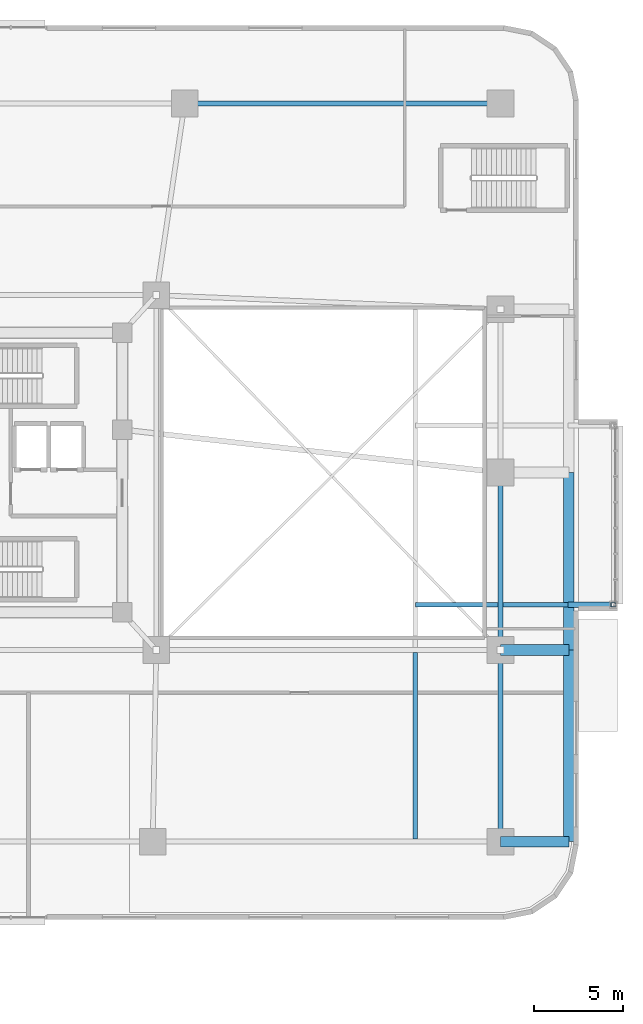
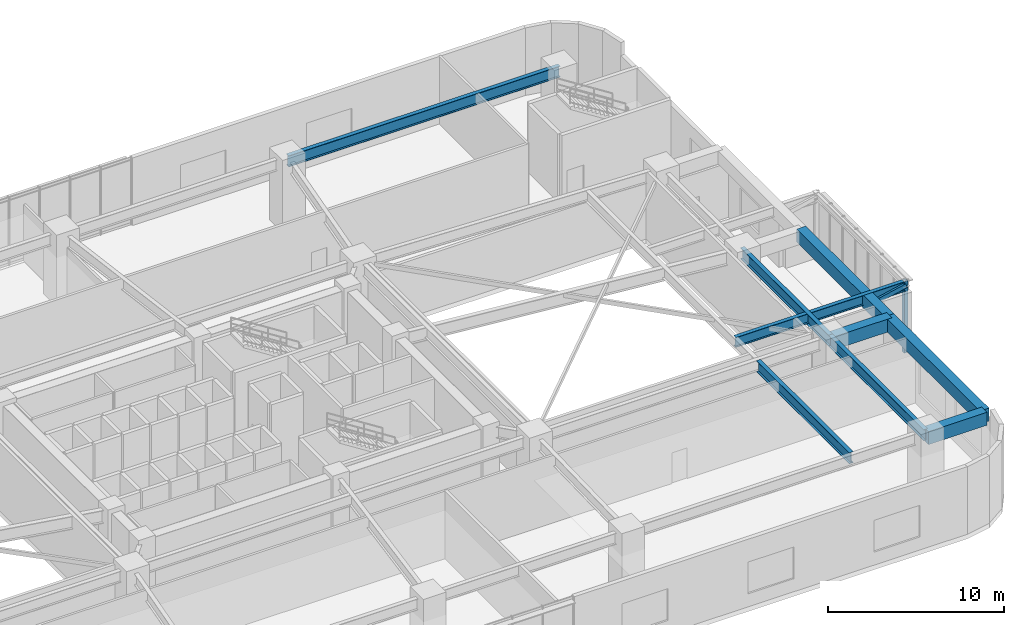
# One storey, part 11 of 26: 9 beams, 2 members.
"""IFC4 building model written with IfcOpenShell, lengths in metres."""

from ifc_helpers import new_model, si_unit, direction, frame, origin, origin_2d, place, context, subcontext, project, spatial, rectangle, hollow_rectangle, i_section, extrude, material, material_profile, profile_set, type_object, element, save


model = new_model("IFC4")

# Units and contexts
model_context = context("Model", 3, precision=1e-05, world=origin(), true_north=direction((0.0, 1.0)))
body_context = subcontext(model_context, "Body", "Model", "MODEL_VIEW")
ifc_project = project(units=[si_unit("LENGTHUNIT", "METRE"), si_unit("AREAUNIT", "SQUARE_METRE"), si_unit("VOLUMEUNIT", "CUBIC_METRE"), si_unit("PLANEANGLEUNIT", "RADIAN"), si_unit("MASSUNIT", "GRAM", prefix="KILO")], contexts=[model_context])

# Site, building, storey
site_placement = place(None, origin())
site = spatial("IfcSite", under=ifc_project, at=site_placement, CompositionType="ELEMENT")
building_placement = place(site_placement, origin())
building = spatial("IfcBuilding", under=site, at=building_placement, Name="Zulverin Broadcast Headquarters", CompositionType="ELEMENT")
storey_placement = place(building_placement, frame((0.0, 0.0, 15.0)))
storey = spatial("IfcBuildingStorey", under=building, at=storey_placement, Name="L03", CompositionType="ELEMENT", Elevation=15.0)

# Beams
ifc_material_1 = material(Name="Concrete C40/50", Category="concrete")
ifc_material_profile_1 = material_profile(ifc_material_1, rectangle(XDim=0.60009765625, YDim=0.89990234375, at=origin_2d()), Name="Concrete C40/50", Category="concrete")
ifc_profile_set_1 = profile_set([ifc_material_profile_1], Name="Concrete C40/50")
beam_type_1 = type_object("IfcBeamType", Name="BM-RC-600x900", PredefinedType="BEAM", material=ifc_profile_set_1)
for number, where, z_axis, x_axis, name in (
    (1, (69.60009765625, 4.39990234375, 4.22998046875), (1.0, 0.0, 0.0), (0.0, 1.0, 0.0), "L03 East Perimeter Bracket Girder EBR-1"),
    (2, (69.60009765625, 15.199951171875, 4.22998046875), (1.0, 0.0, 0.0), (0.0, 1.0, 0.0), "L03 East Perimeter Bracket Girder EBR-2"),
):
    element("IfcBeam", number, at=place(storey_placement, frame(where, z_axis=z_axis, x_axis=x_axis)), inside=storey, type_object=beam_type_1, Name=name, PredefinedType="BEAM", context=body_context, shape_type="SweptSolid", body=[
        extrude(rectangle(XDim=0.60009765625, YDim=0.89990234375, at=origin_2d()), origin(), (0.0, 0.0, 1.0), 3.849853515625),
    ])
beam_1_placement = place(storey_placement, frame((73.449951171875, 4.39990234375, 4.22998046875), z_axis=(0.0, 1.0, 0.0), x_axis=(-1.0, 0.0, 0.0)))
element("IfcBeam", 3, at=beam_1_placement, inside=storey, type_object=beam_type_1, Name="L03 East Edge Spandrel Girder EEG-1", PredefinedType="BEAM", context=body_context, shape_type="SweptSolid", body=[
    extrude(rectangle(XDim=0.60009765625, YDim=0.89990234375, at=origin_2d()), origin(), (0.0, 0.0, 1.0), 10.800048828125),
])
beam_2_placement = place(storey_placement, frame((73.449951171875, 15.199951171875, 4.22998046875), z_axis=(0.0, 1.0, 0.0), x_axis=(-1.0, 0.0, 0.0)))
element("IfcBeam", 4, at=beam_2_placement, inside=storey, type_object=beam_type_1, Name="L03 East Edge Spandrel Girder EEG-2", PredefinedType="BEAM", context=body_context, shape_type="SweptSolid", body=[
    extrude(rectangle(XDim=0.60009765625, YDim=0.89990234375, at=origin_2d()), origin(), (0.0, 0.0, 1.0), 10.0),
])
ifc_material_2 = material(Name="Structural steel S355JR", Category="steel")
ifc_material_profile_2 = material_profile(ifc_material_2, i_section(OverallWidth=0.255859375, OverallDepth=0.69287109375, WebThickness=0.014404296875, FlangeThickness=0.023681640625, at=origin_2d()), Name="Structural steel S355JR", Category="steel")
ifc_profile_set_2 = profile_set([ifc_material_profile_2], Name="Structural steel S355JR")
beam_type_2 = type_object("IfcBeamType", Name="BM-UB-686", PredefinedType="BEAM", material=ifc_profile_set_2)
beam_3_placement = place(storey_placement, frame((64.800048828125, 17.75, 4.33349609375), z_axis=(1.0, 0.0, 0.0), x_axis=(0.0, 1.0, 0.0)))
element("IfcBeam", 5, at=beam_3_placement, inside=storey, type_object=beam_type_2, Name="L03 Studio Box Cantilever Girder SBOX_POD_UPPER_E1-1", PredefinedType="BEAM", context=body_context, shape_type="SweptSolid", body=[
    extrude(i_section(OverallWidth=0.255859375, OverallDepth=0.69287109375, WebThickness=0.014404296875, FlangeThickness=0.023681640625, at=origin_2d()), origin(), (0.0, 0.0, 1.0), 11.14990234375),
])
ifc_material_profile_3 = material_profile(ifc_material_2, i_section(OverallWidth=0.26806640625, OverallDepth=0.769775390625, WebThickness=0.015625, FlangeThickness=0.025390625, at=origin_2d()), Name="Structural steel S355JR", Category="steel")
ifc_profile_set_3 = profile_set([ifc_material_profile_3], Name="Structural steel S355JR")
beam_type_3 = type_object("IfcBeamType", Name="BM-UB-762", PredefinedType="BEAM", material=ifc_profile_set_3)
beam_4_placement = place(storey_placement, frame((69.60009765625, 4.39990234375, 4.295166015625), z_axis=(0.0, 1.0, 0.0), x_axis=(-1.0, 0.0, 0.0)))
element("IfcBeam", 6, at=beam_4_placement, inside=storey, type_object=beam_type_3, Name="L03 Podium Primary Girder P05-P14", PredefinedType="BEAM", context=body_context, shape_type="SweptSolid", body=[
    extrude(i_section(OverallWidth=0.26806640625, OverallDepth=0.769775390625, WebThickness=0.015625, FlangeThickness=0.025390625, at=origin_2d()), origin(), (0.0, 0.0, 1.0), 10.800048828125),
])
beam_5_placement = place(storey_placement, frame((69.60009765625, 15.199951171875, 4.295166015625), z_axis=(0.0, 1.0, 0.0), x_axis=(-1.0, 0.0, 0.0)))
element("IfcBeam", 7, at=beam_5_placement, inside=storey, type_object=beam_type_3, Name="L03 Podium Primary Girder P14-P15", PredefinedType="BEAM", context=body_context, shape_type="SweptSolid", body=[
    extrude(i_section(OverallWidth=0.26806640625, OverallDepth=0.769775390625, WebThickness=0.015625, FlangeThickness=0.025390625, at=origin_2d()), origin(), (0.0, 0.0, 1.0), 10.0),
])
beam_6_placement = place(storey_placement, frame((69.60009765625, 46.0, 4.295166015625), z_axis=(-1.0, 0.0, 0.0), x_axis=(0.0, -1.0, 0.0)))
element("IfcBeam", 8, at=beam_6_placement, inside=storey, type_object=beam_type_3, Name="L03 Podium Primary Girder P10-P09", PredefinedType="BEAM", context=body_context, shape_type="SweptSolid", body=[
    extrude(i_section(OverallWidth=0.26806640625, OverallDepth=0.769775390625, WebThickness=0.015625, FlangeThickness=0.025390625, at=origin_2d()), origin(), (0.0, 0.0, 1.0), 17.800048828125),
])
beam_7_placement = place(storey_placement, frame((64.800048828125, 4.533935546875, 4.295166015625), z_axis=(0.0, 1.0, 0.0), x_axis=(-1.0, 0.0, 0.0)))
element("IfcBeam", 9, at=beam_7_placement, inside=storey, type_object=beam_type_3, Name="L03 East Back-Span Anchor Beam ESBA-1", PredefinedType="BEAM", context=body_context, shape_type="SweptSolid", body=[
    extrude(i_section(OverallWidth=0.26806640625, OverallDepth=0.769775390625, WebThickness=0.015625, FlangeThickness=0.025390625, at=origin_2d()), origin(), (0.0, 0.0, 1.0), 10.531982421875),
])

# Members
ifc_material_profile_4 = material_profile(ifc_material_2, hollow_rectangle(XDim=0.300048828125, YDim=0.300048828125, WallThickness=0.01611328125, at=origin_2d()), Name="Structural steel S355JR", Category="steel")
ifc_profile_set_4 = profile_set([ifc_material_profile_4], Name="Structural steel S355JR")
member_type_1 = type_object("IfcMemberType", Name="MBR-BLT-DIAG1", PredefinedType="BRACE", material=ifc_profile_set_4)
member_1_placement = place(storey_placement, frame((73.449951171875, 17.75, 3.830078125), z_axis=(0.976660475394, 0.0, 0.214789002987), x_axis=(0.0, 1.0, 0.0)))
element("IfcMember", 10, at=member_1_placement, inside=storey, type_object=member_type_1, Name="L03 Studio Box Raking Knee Brace SBOX_POD_UPPER_E1-1", PredefinedType="BRACE", context=body_context, shape_type="SweptSolid", body=[
    extrude(hollow_rectangle(XDim=0.300048828125, YDim=0.300048828125, WallThickness=0.01611328125, at=origin_2d()), origin(), (0.0, 0.0, 1.0), 2.559814453125),
])
ifc_material_profile_5 = material_profile(ifc_material_2, hollow_rectangle(XDim=0.25, YDim=0.25, WallThickness=0.01611328125, at=origin_2d()), Name="Structural steel S355JR", Category="steel")
ifc_profile_set_5 = profile_set([ifc_material_profile_5], Name="Structural steel S355JR")
member_type_2 = type_object("IfcMemberType", Name="MBR-BLT-POST", PredefinedType="POST", material=ifc_profile_set_5)
member_2_placement = place(storey_placement, frame((75.949951171875, 17.75, -0.27001953125), z_axis=(0.0, 0.0, 1.0), x_axis=(1.0, 0.0, 0.0)))
element("IfcMember", 11, at=member_2_placement, inside=storey, type_object=member_type_2, Name="L03 Shifted Studio Box Frame Post SBOX_POD_UPPER_E1-1", PredefinedType="POST", context=body_context, shape_type="SweptSolid", body=[
    extrude(hollow_rectangle(XDim=0.25, YDim=0.25, WallThickness=0.01611328125, at=origin_2d()), origin(), (0.0, 0.0, 1.0), 4.949951171875),
])

save(model, "model.ifc")
